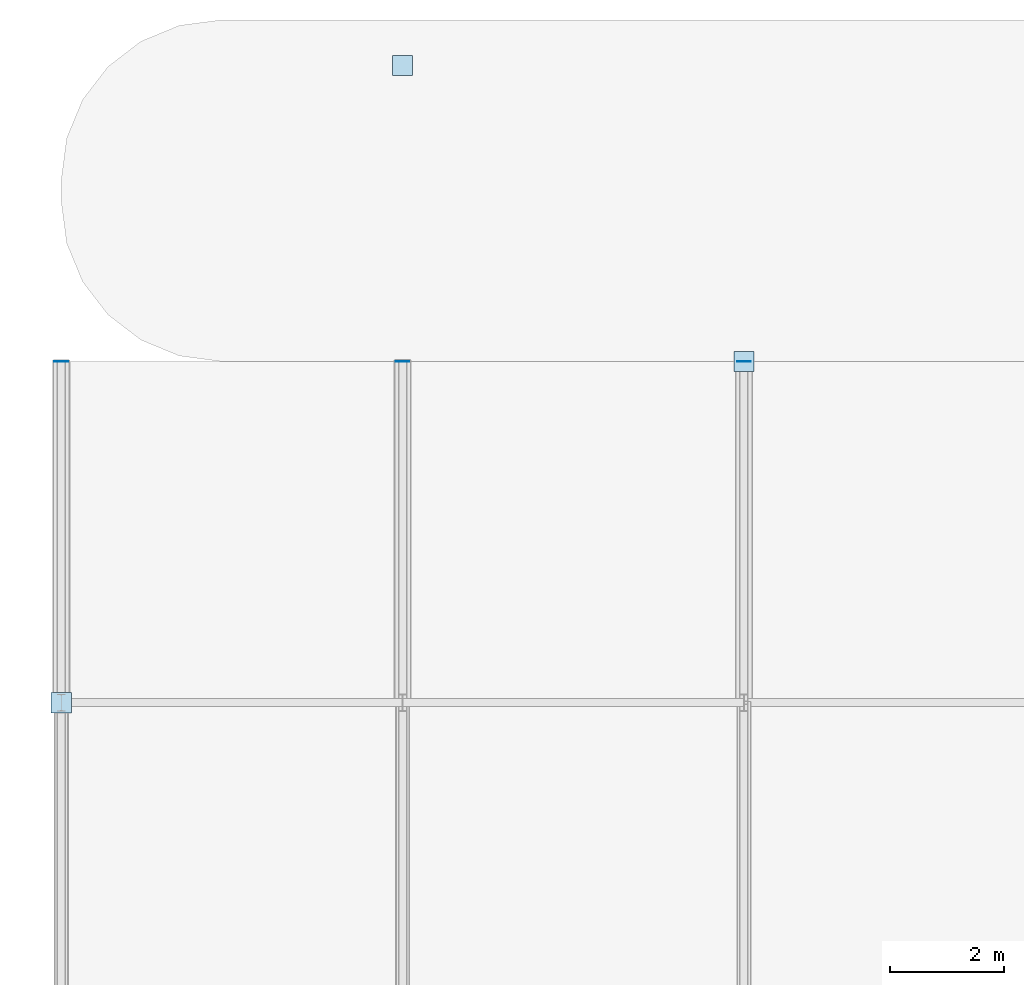
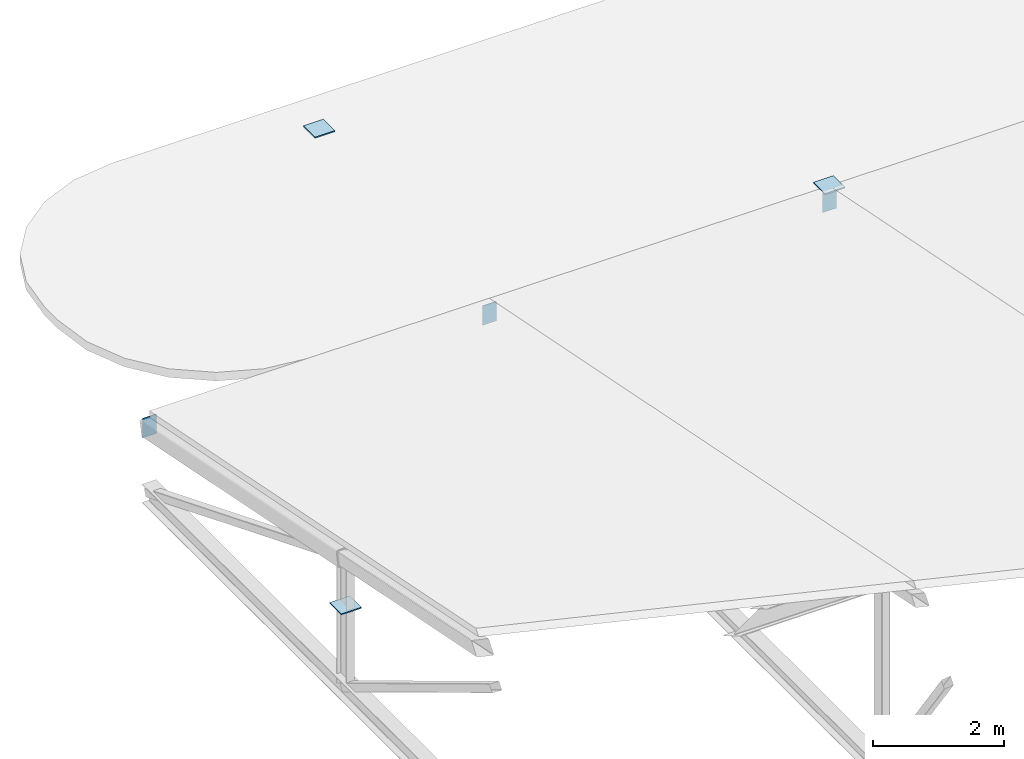
# One storey, part 56 of 83: 6 plates.
"""IFC4 building model written with IfcOpenShell, lengths in metres."""

import ifcopenshell
import ifcopenshell.guid

model = None  # the IFC model being written
_history = None  # IfcOwnerHistory: only IFC2X3 demands one
_inside = {}  # id of a spatial element -> (the spatial element, [elements in it])
_under = {}  # id of a project, library or spatial element -> (it, [spatial elements below it])
_declared = {}  # id of a project -> (the project, [libraries it declares])
_typed = {}  # id of a type object -> (the type object, [elements of that type])
_made_of = {}  # id of a material, layer set ... -> (it, [elements and type objects made of it])


def new_model(schema):
    """Start an empty IFC model of exactly this schema.

    Asked for "IFC4X3", IfcOpenShell would pick the latest addendum, in which some entities
    have other attributes; the version numbers below select the first issue.
    IFC2X3 requires an IfcOwnerHistory on every rooted entity: one is made here for all.
    """
    global model, _history
    if schema == "IFC4X3":
        model = ifcopenshell.file(schema_version=(4, 3, 0, 0))
    else:
        model = ifcopenshell.file(schema=schema)
    _inside.clear()
    _under.clear()
    _declared.clear()
    _typed.clear()
    _made_of.clear()
    _history = None
    if model.schema == "IFC2X3":
        org = make("IfcOrganization", Name="unknown")
        user = make(
            "IfcPersonAndOrganization",
            ThePerson=make("IfcPerson", FamilyName="unknown"),
            TheOrganization=org,
        )
        app = make(
            "IfcApplication",
            ApplicationDeveloper=org,
            Version="unknown",
            ApplicationFullName="unknown",
            ApplicationIdentifier="unknown",
        )
        _history = make(
            "IfcOwnerHistory",
            OwningUser=user,
            OwningApplication=app,
            ChangeAction="ADDED",
            CreationDate=0,
        )
    return model


def make(cls, **values):
    """One entity of the class cls with the attributes given. An attribute that is None is left unset."""
    return model.create_entity(
        cls, **{name: value for name, value in values.items() if value is not None}
    )


def rooted(cls, **values):
    """An entity with a GlobalId (a new one), such as an element, a storey or a relation."""
    return make(cls, GlobalId=ifcopenshell.guid.new(), OwnerHistory=_history, **values)


def si_unit(unit_type, name, prefix=None):
    """IfcSIUnit, for example si_unit("LENGTHUNIT", "METRE", prefix="MILLI")."""
    return make("IfcSIUnit", UnitType=unit_type, Prefix=prefix, Name=name)


def assignment(units):
    """IfcUnitAssignment: the units of a project."""
    return None if units is None else make("IfcUnitAssignment", Units=units)


def point(xyz):
    """IfcCartesianPoint."""
    return None if xyz is None else make("IfcCartesianPoint", Coordinates=xyz)


def direction(xyz):
    """IfcDirection."""
    return None if xyz is None else make("IfcDirection", DirectionRatios=xyz)


def frame(location, z_axis=None, x_axis=None):
    """IfcAxis2Placement3D, a coordinate frame: its origin and axes. An axis left out is left unset."""
    return make(
        "IfcAxis2Placement3D",
        Location=point(location),
        Axis=direction(z_axis),
        RefDirection=direction(x_axis),
    )


def frame_2d(location, x_axis=None):
    """IfcAxis2Placement2D, a coordinate frame in the plane: its origin and x axis."""
    return make(
        "IfcAxis2Placement2D", Location=point(location), RefDirection=direction(x_axis)
    )


def origin():
    """The frame at (0, 0, 0) with its axes left unset."""
    return frame((0.0, 0.0, 0.0))


def origin_2d():
    """The frame at (0, 0) in the plane with its x axis left unset."""
    return frame_2d((0.0, 0.0))


def place(relative_to, where):
    """IfcLocalPlacement: puts the frame where relative to a parent placement (None: the world)."""
    return make(
        "IfcLocalPlacement", PlacementRelTo=relative_to, RelativePlacement=where
    )


def context(
    kind, dimensions, precision=None, world=None, true_north=None, identifier=None
):
    """IfcGeometricRepresentationContext, for example the 3D "Model" context."""
    return make(
        "IfcGeometricRepresentationContext",
        ContextIdentifier=identifier,
        ContextType=kind,
        CoordinateSpaceDimension=dimensions,
        Precision=precision,
        WorldCoordinateSystem=world,
        TrueNorth=true_north,
    )


def subcontext(parent, identifier, kind, view, scale=None):
    """IfcGeometricRepresentationSubContext, for example "Body" below "Model"."""
    return make(
        "IfcGeometricRepresentationSubContext",
        ContextIdentifier=identifier,
        ContextType=kind,
        ParentContext=parent,
        TargetScale=scale,
        TargetView=view,
    )


def project(units=None, contexts=None):
    """IfcProject with its units and contexts."""
    return rooted(
        "IfcProject",
        Name="project",
        RepresentationContexts=contexts,
        UnitsInContext=assignment(units),
    )


def spatial(cls, under=None, at=None, **own):
    """A site, building, storey or space (cls), placed at a placement, below another one or the project."""
    s = rooted(cls, ObjectPlacement=at, **own)
    if under is not None:
        _under.setdefault(under.id(), (under, []))[1].append(s)
    return s


def profile(cls, at=None, kind="AREA", **sizes):
    """A parametric profile (cls). Its sizes go by their IFC names, for example OverallWidth=200.0."""
    return make(cls, ProfileType=kind, Position=at, **sizes)


def rectangle(**sizes):
    """IfcRectangleProfileDef."""
    return profile("IfcRectangleProfileDef", **sizes)


def extrude(swept, where, along, depth):
    """IfcExtrudedAreaSolid: the profile swept, set in the frame where, extruded along a direction by depth."""
    return make(
        "IfcExtrudedAreaSolid",
        SweptArea=swept,
        Position=where,
        ExtrudedDirection=direction(along),
        Depth=depth,
    )


def shape(context_of_items, identifier, shape_type, items):
    """IfcShapeRepresentation: the items that make up one representation, for example the "Body"."""
    return make(
        "IfcShapeRepresentation",
        ContextOfItems=context_of_items,
        RepresentationIdentifier=identifier,
        RepresentationType=shape_type,
        Items=items,
    )


def material(Name=None, Category=None):
    """IfcMaterial."""
    return make("IfcMaterial", Name=Name, Category=Category)


def layer(
    of_material, thickness, ventilated=None, Name=None, Category=None, Priority=None
):
    """IfcMaterialLayer: one layer of a wall or slab, of a material (None: an air gap)."""
    return make(
        "IfcMaterialLayer",
        Material=of_material,
        LayerThickness=thickness,
        IsVentilated=ventilated,
        Name=Name,
        Category=Category,
        Priority=Priority,
    )


def layer_set(layers, Name=None):
    """IfcMaterialLayerSet."""
    return make("IfcMaterialLayerSet", MaterialLayers=layers, LayerSetName=Name)


def made_of(thing, what):
    """Note that an element or type object is made of a material, layer set ...; save() writes the relation."""
    if what is not None:
        _made_of.setdefault(what.id(), (what, []))[1].append(thing)
    return thing


def type_object(cls, material=None, **own):
    """A type object (cls), such as IfcWallType, which elements share."""
    return made_of(rooted(cls, **own), material)


def element(
    cls,
    number,
    at=None,
    inside=None,
    cuts=None,
    type_object=None,
    material=None,
    context=None,
    identifier="Body",
    shape_type=None,
    held_by="IfcProductDefinitionShape",
    body=None,
    shapes=None,
    **own,
):
    """One element of the class cls, such as IfcWall. Its Tag is "e" and its number.

    at: its placement. inside: the storey or other place that contains it. cuts: it is an
    opening in that element (IfcRelVoidsElement). A single representation is given by context,
    identifier, shape_type and body (its items); several are given by shapes. held_by: the class
    of the entity that holds the representations. save() writes the other relations.
    """
    e = rooted(cls, Tag="e%d" % number, ObjectPlacement=at, **own)
    if body is not None:
        shapes = [shape(context, identifier, shape_type, body)]
    if shapes is not None:
        e.Representation = make(held_by, Representations=shapes)
    if inside is not None:
        _inside.setdefault(inside.id(), (inside, []))[1].append(e)
    if cuts is not None:
        rooted(
            "IfcRelVoidsElement", RelatingBuildingElement=cuts, RelatedOpeningElement=e
        )
    if type_object is not None:
        _typed.setdefault(type_object.id(), (type_object, []))[1].append(e)
    return made_of(e, material)


def aggregate(whole, parts):
    """IfcRelAggregates: a whole, such as a stair, and the parts it consists of."""
    return rooted("IfcRelAggregates", RelatingObject=whole, RelatedObjects=parts)


def save(model, path):
    """Write the relations noted so far, then the file.

    IfcRelAggregates (storeys below a building ...), IfcRelContainedInSpatialStructure (elements
    in a storey), IfcRelDefinesByType, IfcRelAssociatesMaterial and IfcRelDeclares: one each for
    every whole, place, type object, material and project.
    """
    for whole, parts in _under.values():
        aggregate(whole, parts)
    for where, things in _inside.values():
        rooted(
            "IfcRelContainedInSpatialStructure",
            RelatedElements=things,
            RelatingStructure=where,
        )
    for kind, things in _typed.values():
        rooted("IfcRelDefinesByType", RelatedObjects=things, RelatingType=kind)
    for what, things in _made_of.values():
        rooted("IfcRelAssociatesMaterial", RelatedObjects=things, RelatingMaterial=what)
    for by, libraries in _declared.values():
        rooted("IfcRelDeclares", RelatingContext=by, RelatedDefinitions=libraries)
    model.write(path)


model = new_model("IFC4")

# Units and contexts
model_context = context("Model", 3, precision=1e-05, world=origin(), true_north=direction((0.0, 1.0)))
body_context = subcontext(model_context, "Body", "Model", "MODEL_VIEW")
ifc_project = project(units=[si_unit("LENGTHUNIT", "METRE"), si_unit("AREAUNIT", "SQUARE_METRE"), si_unit("VOLUMEUNIT", "CUBIC_METRE"), si_unit("PLANEANGLEUNIT", "RADIAN"), si_unit("MASSUNIT", "GRAM", prefix="KILO")], contexts=[model_context])

# Site, building, storey
site_placement = place(None, origin())
site = spatial("IfcSite", under=ifc_project, at=site_placement, CompositionType="ELEMENT")
building_placement = place(site_placement, origin())
building = spatial("IfcBuilding", under=site, at=building_placement, Name="Varnakota Square Police Headquarters", CompositionType="ELEMENT")
storey_placement = place(building_placement, frame((0.0, 0.0, 18.0)))
storey = spatial("IfcBuildingStorey", under=building, at=storey_placement, Name="L04", CompositionType="ELEMENT", Elevation=18.0)

# Plates
ifc_material = material(Name="Steel IS 2062 Grade 350", Category="steel")
ifc_layer_1 = layer(ifc_material, 0.02001953125, Name="Steel IS 2062 Grade 350")
ifc_layer_set_1 = layer_set([ifc_layer_1], Name="Steel IS 2062 Grade 350")
plate_type_1 = type_object("IfcPlateType", Name="PL-CAP-20", PredefinedType="SHEET", material=ifc_layer_set_1)
for number, where, z_axis, x_axis, name in (
    (1, (6.0, 99.0, -0.001953125), (0.0, 0.0, 1.0), (1.0, 0.0, 0.0), "Hollow column top cap plate CP-COL-X0060-Y0990"),
    (2, (12.0, 110.199951171875, -0.001953125), (0.0, 0.0, 1.0), (1.0, 0.0, 0.0), "Hollow column top cap plate CP-COL-X0120-Y1102"),
    (3, (18.0, 105.0, -0.001953125), (0.0, 0.0, 1.0), (1.0, 0.0, 0.0), "Hollow column top cap plate CP-COL-X0180-Y1050"),
):
    element("IfcPlate", number, at=place(storey_placement, frame(where, z_axis=z_axis, x_axis=x_axis)), inside=storey, type_object=plate_type_1, Name=name, PredefinedType="SHEET", context=body_context, shape_type="SweptSolid", body=[
        extrude(rectangle(XDim=0.35400390625, YDim=0.35400390625, at=origin_2d()), origin(), (0.0, 0.0, 1.0), 0.02001953125),
    ])
ifc_layer_2 = layer(ifc_material, 0.011962890625, Name="Steel IS 2062 Grade 350")
ifc_layer_set_2 = layer_set([ifc_layer_2], Name="Steel IS 2062 Grade 350")
plate_type_2 = type_object("IfcPlateType", Name="PL-END-12", PredefinedType="SHEET", material=ifc_layer_set_2)
for number, where, z_axis, x_axis, name in (
    (4, (6.0, 105.0, -0.4599609375), (0.0, 0.0, 1.0), (1.0, 0.0, 0.0), "Hollow chord end-cap plate EP-002"),
    (5, (12.0, 105.0, -0.4599609375), (0.0, 0.0, 1.0), (1.0, 0.0, 0.0), "Hollow chord end-cap plate EP-004"),
    (6, (18.0, 105.0, -0.4599609375), (0.0, 0.0, 1.0), (1.0, 0.0, 0.0), "Hollow chord end-cap plate EP-006"),
):
    element("IfcPlate", number, at=place(storey_placement, frame(where, z_axis=z_axis, x_axis=x_axis)), inside=storey, type_object=plate_type_2, Name=name, PredefinedType="SHEET", context=body_context, shape_type="SweptSolid", body=[
        extrude(rectangle(XDim=0.239990234375, YDim=0.011962890625, at=origin_2d()), origin(), (0.0, 0.0, 1.0), 0.360107421875),
    ])

save(model, "model.ifc")
